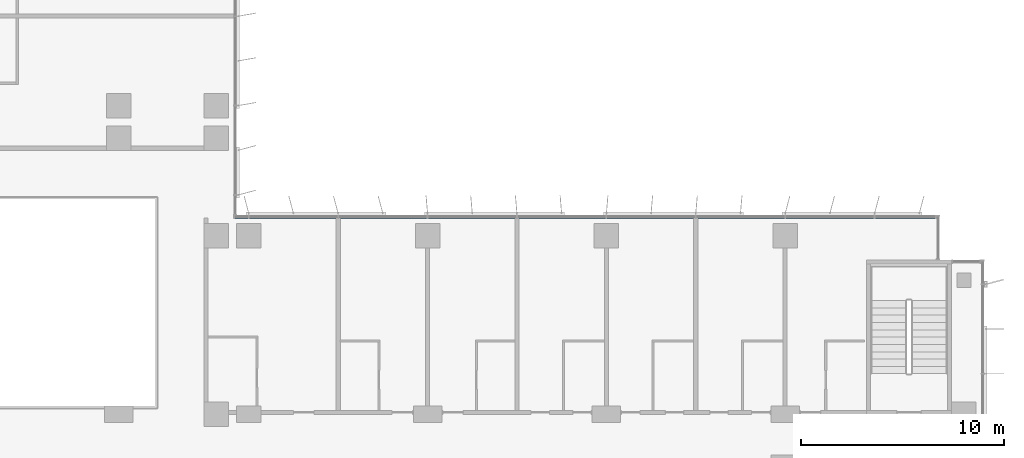
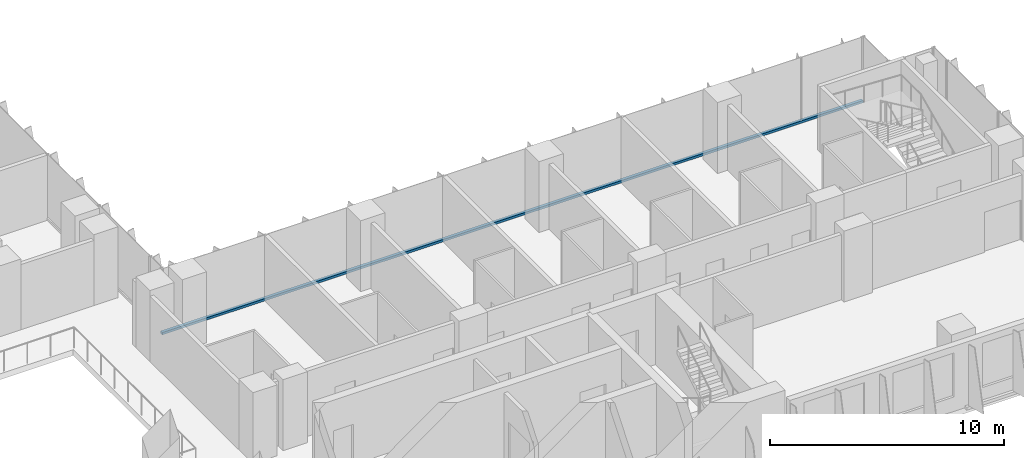
# One storey, part 3 of 22: 1 member, 1 element without a shape of its own.
"""IFC4 building model written with IfcOpenShell, lengths in metres."""

from ifc_helpers import new_model, si_unit, direction, frame, origin, origin_2d, place, context, subcontext, project, spatial, rectangle, extrude, material, material_profile, profile_set, type_object, element, aggregate, save


model = new_model("IFC4")

# Units and contexts
model_context = context("Model", 3, precision=1e-05, world=origin(), true_north=direction((0.0, 1.0)))
body_context = subcontext(model_context, "Body", "Model", "MODEL_VIEW")
ifc_project = project(units=[si_unit("LENGTHUNIT", "METRE"), si_unit("AREAUNIT", "SQUARE_METRE"), si_unit("VOLUMEUNIT", "CUBIC_METRE"), si_unit("PLANEANGLEUNIT", "RADIAN"), si_unit("MASSUNIT", "GRAM", prefix="KILO")], contexts=[model_context])

# Site, building, storey
site_placement = place(None, origin())
site = spatial("IfcSite", under=ifc_project, at=site_placement, CompositionType="ELEMENT")
building_placement = place(site_placement, origin())
building = spatial("IfcBuilding", under=site, at=building_placement, Name="Kemantara Hotel Tower", CompositionType="ELEMENT")
storey_placement = place(building_placement, frame((0.0, 0.0, 111.10009765625)))
storey = spatial("IfcBuildingStorey", under=building, at=storey_placement, Name="L26", CompositionType="ELEMENT", Elevation=111.10009765625)

# Curtain wall, member
ifc_material_1 = material(Name="Low-E tinted double insulated glass 36 mm", Category="glass")
curtain_wall_type = type_object("IfcCurtainWallType", Name="TOWER CURTAIN WALL, FRONT FACES", PredefinedType="USERDEFINED", material=ifc_material_1)
curtain_wall_placement = place(storey_placement, origin())
curtain_wall = element("IfcCurtainWall", 1, at=curtain_wall_placement, inside=storey, type_object=curtain_wall_type, Name="CW4 L26 T2-R13-1", ObjectType="TOWER CURTAIN WALL, FRONT FACES", PredefinedType="USERDEFINED")
ifc_material_2 = material(Name="Aluminium 6063-T6 bronze anodised", Category="aluminium")
ifc_material_profile = material_profile(ifc_material_2, rectangle(XDim=0.14990234375, YDim=0.1201171875, at=origin_2d()), Name="TOWER CURTAIN WALL, FRONT FACES TRANSOM")
ifc_profile_set = profile_set([ifc_material_profile], Name="Aluminium 6063-T6 bronze anodised")
member_type = type_object("IfcMemberType", Name="TOWER CURTAIN WALL, FRONT FACES TRANSOM", PredefinedType="USERDEFINED", material=ifc_profile_set)
member_placement = place(storey_placement, frame((61.25, 21.925048828125, 0.059814453125), z_axis=(-1.0, 0.0, 0.0), x_axis=(0.0, -1.0, 0.0)))
member = element("IfcMember", 2, at=member_placement, type_object=member_type, Name="CW4 sill transom T2-R13-1", ObjectType="TRANSOM", PredefinedType="USERDEFINED", context=body_context, shape_type="SweptSolid", body=[
    extrude(rectangle(XDim=0.14990234375, YDim=0.1201171875, at=origin_2d()), origin(), (0.0, 0.0, 1.0), 34.60009765625),
])
aggregate(curtain_wall, [member])

save(model, "model.ifc")
